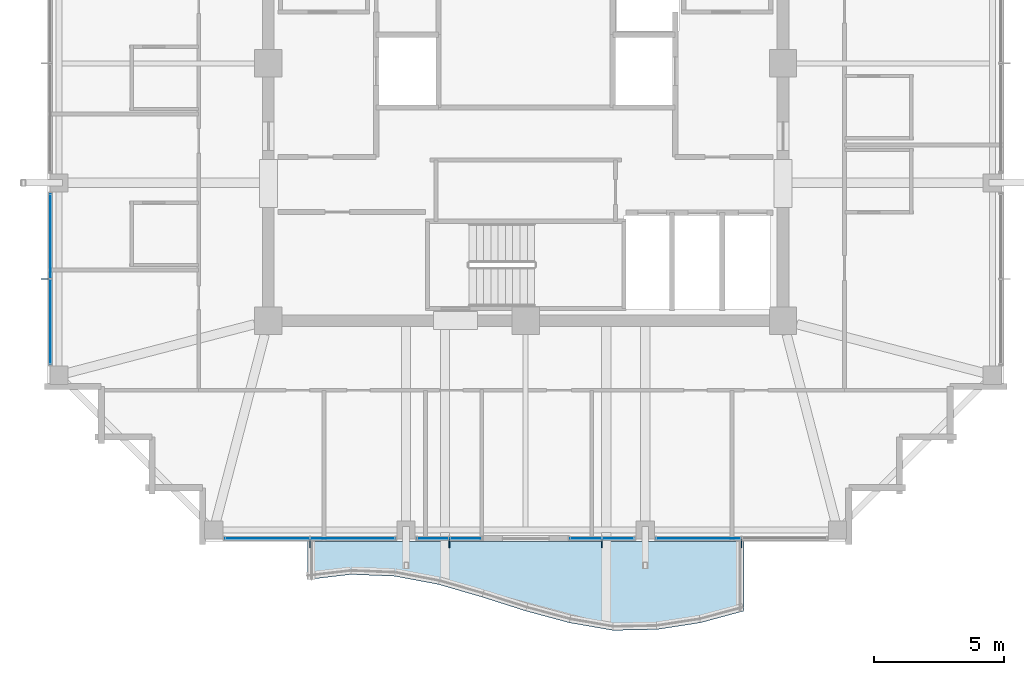
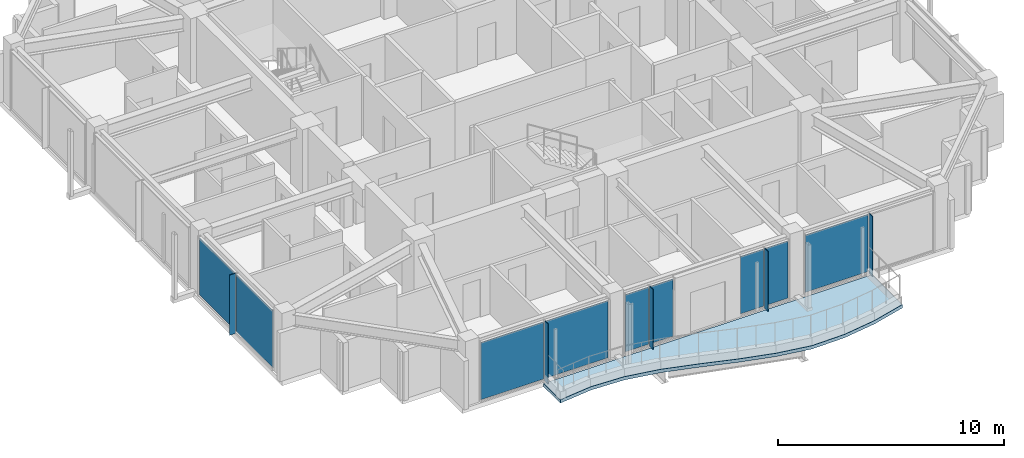
# One storey, part 20 of 31: 14 plates, 1 slab, 5 elements without a shape of their own.
"""IFC4 building model written with IfcOpenShell, lengths in metres."""

from ifc_helpers import new_model, si_unit, direction, frame, origin, origin_2d, place, context, subcontext, project, spatial, polyline, rectangle, outline, extrude, material, layer, layer_set, type_object, element, aggregate, save


model = new_model("IFC4")

# Units and contexts
model_context = context("Model", 3, precision=1e-05, world=origin(), true_north=direction((0.0, 1.0)))
body_context = subcontext(model_context, "Body", "Model", "MODEL_VIEW")
ifc_project = project(units=[si_unit("LENGTHUNIT", "METRE"), si_unit("AREAUNIT", "SQUARE_METRE"), si_unit("VOLUMEUNIT", "CUBIC_METRE"), si_unit("PLANEANGLEUNIT", "RADIAN"), si_unit("MASSUNIT", "GRAM", prefix="KILO")], contexts=[model_context])

# Site, building, storey
site_placement = place(None, origin())
site = spatial("IfcSite", under=ifc_project, at=site_placement, CompositionType="ELEMENT")
building_placement = place(site_placement, origin())
building = spatial("IfcBuilding", under=site, at=building_placement, Name="Kolvaren Belvedere", CompositionType="ELEMENT")
storey_placement = place(building_placement, frame((0.0, 0.0, 247.89990234375)))
storey = spatial("IfcBuildingStorey", under=building, at=storey_placement, Name="L72", CompositionType="ELEMENT", Elevation=247.89990234375)

# Curtain wall, plate
ifc_material_1 = material(Name="Anodised pale-metal aluminium AA 6063-T6", Category="aluminium")
curtain_wall_type = type_object("IfcCurtainWallType", Name="CW-Z5-HIGH", PredefinedType="NOTDEFINED", material=ifc_material_1)
curtain_wall_1_placement = place(storey_placement, origin())
curtain_wall_1 = element("IfcCurtainWall", 1, at=curtain_wall_1_placement, inside=storey, type_object=curtain_wall_type, Name="L72 Unitised Curtain Wall FCW-L72-S1-B1", PredefinedType="NOTDEFINED")
ifc_material_2 = material(Name="Low-iron triple insulated glass", Category="glass")
ifc_layer_1 = layer(ifc_material_2, 0.028076171875)
ifc_layer_set_1 = layer_set([ifc_layer_1], Name="Low-iron triple insulated glass")
plate_type_1 = type_object("IfcPlateType", Name="CW-PNL-VIS28", PredefinedType="CURTAIN_PANEL", material=ifc_layer_set_1)
plate_1_placement = place(storey_placement, frame((6.652587890625, -18.280029296875, 0.080078125), z_axis=(0.0, 0.0, 1.0), x_axis=(-1.0, 0.0, 0.0)))
plate_1 = element("IfcPlate", 2, at=plate_1_placement, type_object=plate_type_1, Name="FCW-L72-S1-B1 Vision Glazing Panel 2", PredefinedType="CURTAIN_PANEL", context=body_context, shape_type="SweptSolid", body=[
    extrude(rectangle(XDim=3.215087890625, YDim=0.028076171875, at=origin_2d()), origin(), (0.0, 0.0, 1.0), 3.090087890625),
])
aggregate(curtain_wall_1, [plate_1])

# Curtain wall, plates
curtain_wall_2_placement = place(storey_placement, origin())
curtain_wall_2 = element("IfcCurtainWall", 3, at=curtain_wall_2_placement, inside=storey, type_object=curtain_wall_type, Name="L72 Unitised Curtain Wall FCW-L72-S1-B2", PredefinedType="NOTDEFINED")
plate_2_placement = place(storey_placement, frame((3.56640625, -18.280029296875, 0.080078125), z_axis=(0.0, 0.0, 1.0), x_axis=(-1.0, 0.0, 0.0)))
plate_2 = element("IfcPlate", 4, at=plate_2_placement, type_object=plate_type_1, Name="FCW-L72-S1-B2 Vision Glazing Panel 1", PredefinedType="CURTAIN_PANEL", context=body_context, shape_type="SweptSolid", body=[
    extrude(rectangle(XDim=1.177490234375, YDim=0.028076171875, at=origin_2d()), origin(), (0.0, 0.0, 1.0), 3.090087890625),
])
plate_3_placement = place(storey_placement, frame((2.30859375, -18.280029296875, 0.080078125), z_axis=(0.0, 0.0, 1.0), x_axis=(-1.0, 0.0, 0.0)))
plate_3 = element("IfcPlate", 5, at=plate_3_placement, type_object=plate_type_1, Name="FCW-L72-S1-B2 Vision Glazing Panel 2", PredefinedType="CURTAIN_PANEL", context=body_context, shape_type="SweptSolid", body=[
    extrude(rectangle(XDim=1.177490234375, YDim=0.028076171875, at=origin_2d()), origin(), (0.0, 0.0, 1.0), 3.090087890625),
])
aggregate(curtain_wall_2, [plate_2, plate_3])

curtain_wall_3_placement = place(storey_placement, origin())
curtain_wall_3 = element("IfcCurtainWall", 6, at=curtain_wall_3_placement, inside=storey, type_object=curtain_wall_type, Name="L72 Unitised Curtain Wall FCW-L72-S2-B1", PredefinedType="NOTDEFINED")
plate_4_placement = place(storey_placement, frame((-2.30859375, -18.280029296875, 0.080078125), z_axis=(0.0, 0.0, 1.0), x_axis=(-1.0, 0.0, 0.0)))
plate_4 = element("IfcPlate", 7, at=plate_4_placement, type_object=plate_type_1, Name="FCW-L72-S2-B1 Vision Glazing Panel 1", PredefinedType="CURTAIN_PANEL", context=body_context, shape_type="SweptSolid", body=[
    extrude(rectangle(XDim=1.177490234375, YDim=0.028076171875, at=origin_2d()), origin(), (0.0, 0.0, 1.0), 3.090087890625),
])
plate_5_placement = place(storey_placement, frame((-3.56640625, -18.280029296875, 0.080078125), z_axis=(0.0, 0.0, 1.0), x_axis=(-1.0, 0.0, 0.0)))
plate_5 = element("IfcPlate", 8, at=plate_5_placement, type_object=plate_type_1, Name="FCW-L72-S2-B1 Vision Glazing Panel 2", PredefinedType="CURTAIN_PANEL", context=body_context, shape_type="SweptSolid", body=[
    extrude(rectangle(XDim=1.177490234375, YDim=0.028076171875, at=origin_2d()), origin(), (0.0, 0.0, 1.0), 3.090087890625),
])
aggregate(curtain_wall_3, [plate_4, plate_5])

curtain_wall_4_placement = place(storey_placement, origin())
curtain_wall_4 = element("IfcCurtainWall", 9, at=curtain_wall_4_placement, inside=storey, type_object=curtain_wall_type, Name="L72 Unitised Curtain Wall FCW-L72-S2-B2", PredefinedType="NOTDEFINED")
plate_6_placement = place(storey_placement, frame((-6.652587890625, -18.280029296875, 0.080078125), z_axis=(0.0, 0.0, 1.0), x_axis=(-1.0, 0.0, 0.0)))
plate_6 = element("IfcPlate", 10, at=plate_6_placement, type_object=plate_type_1, Name="FCW-L72-S2-B2 Vision Glazing Panel 1", PredefinedType="CURTAIN_PANEL", context=body_context, shape_type="SweptSolid", body=[
    extrude(rectangle(XDim=3.215087890625, YDim=0.028076171875, at=origin_2d()), origin(), (0.0, 0.0, 1.0), 3.090087890625),
])
plate_7_placement = place(storey_placement, frame((-9.947509765625, -18.280029296875, 0.080078125), z_axis=(0.0, 0.0, 1.0), x_axis=(-1.0, 0.0, 0.0)))
plate_7 = element("IfcPlate", 11, at=plate_7_placement, type_object=plate_type_1, Name="FCW-L72-S2-B2 Vision Glazing Panel 2", PredefinedType="CURTAIN_PANEL", context=body_context, shape_type="SweptSolid", body=[
    extrude(rectangle(XDim=3.215087890625, YDim=0.028076171875, at=origin_2d()), origin(), (0.0, 0.0, 1.0), 3.090087890625),
])
aggregate(curtain_wall_4, [plate_6, plate_7])

curtain_wall_5_placement = place(storey_placement, origin())
curtain_wall_5 = element("IfcCurtainWall", 12, at=curtain_wall_5_placement, inside=storey, type_object=curtain_wall_type, Name="L72 Unitised Curtain Wall FCW-L72-W-B1", PredefinedType="NOTDEFINED")
plate_8_placement = place(storey_placement, frame((-18.280029296875, -9.947509765625, 0.080078125), z_axis=(0.0, 0.0, 1.0), x_axis=(0.0, 1.0, 0.0)))
plate_8 = element("IfcPlate", 13, at=plate_8_placement, type_object=plate_type_1, Name="FCW-L72-W-B1 Vision Glazing Panel 1", PredefinedType="CURTAIN_PANEL", context=body_context, shape_type="SweptSolid", body=[
    extrude(rectangle(XDim=3.215087890625, YDim=0.028076171875, at=origin_2d()), origin(), (0.0, 0.0, 1.0), 3.090087890625),
])
plate_9_placement = place(storey_placement, frame((-18.280029296875, -6.652587890625, 0.080078125), z_axis=(0.0, 0.0, 1.0), x_axis=(0.0, 1.0, 0.0)))
plate_9 = element("IfcPlate", 14, at=plate_9_placement, type_object=plate_type_1, Name="FCW-L72-W-B1 Vision Glazing Panel 2", PredefinedType="CURTAIN_PANEL", context=body_context, shape_type="SweptSolid", body=[
    extrude(rectangle(XDim=3.215087890625, YDim=0.028076171875, at=origin_2d()), origin(), (0.0, 0.0, 1.0), 3.090087890625),
])
aggregate(curtain_wall_5, [plate_8, plate_9])

# Plates
ifc_material_3 = material(Name="Anodised pale-metal aluminium AA 6063-T6", Category="aluminium")
ifc_layer_2 = layer(ifc_material_3, 0.030029296875)
ifc_layer_set_2 = layer_set([ifc_layer_2], Name="Anodised pale-metal aluminium AA 6063-T6")
plate_type_2 = type_object("IfcPlateType", Name="FIN-VERT-300", PredefinedType="USERDEFINED", material=ifc_layer_set_2)
for number, where, z_axis, x_axis, name in (
    (15, (8.300048828125, -18.489990234375, 0.0), (0.0, 0.0, 1.0), (0.0, 1.0, 0.0), "L72 Pale-Metal Vertical Shading Fin FCW-L72-S1-B1-1"),
    (16, (2.9375, -18.489990234375, 0.0), (0.0, 0.0, 1.0), (0.0, 1.0, 0.0), "L72 Pale-Metal Vertical Shading Fin FCW-L72-S1-B2-1"),
    (17, (-2.9375, -18.489990234375, 0.0), (0.0, 0.0, 1.0), (0.0, 1.0, 0.0), "L72 Pale-Metal Vertical Shading Fin FCW-L72-S2-B1-1"),
    (18, (-8.300048828125, -18.489990234375, 0.0), (0.0, 0.0, 1.0), (0.0, 1.0, 0.0), "L72 Pale-Metal Vertical Shading Fin FCW-L72-S2-B2-1"),
    (19, (-18.489990234375, -8.300048828125, 0.0), (0.0, 0.0, 1.0), (1.0, 0.0, 0.0), "L72 Pale-Metal Vertical Shading Fin FCW-L72-W-B1-1"),
):
    element("IfcPlate", number, at=place(storey_placement, frame(where, z_axis=z_axis, x_axis=x_axis)), inside=storey, type_object=plate_type_2, Name=name, ObjectType="VERTICAL FIN", PredefinedType="USERDEFINED", context=body_context, shape_type="SweptSolid", body=[
        extrude(rectangle(XDim=0.300048828125, YDim=0.030029296875, at=origin_2d()), origin(), (0.0, 0.0, 1.0), 3.25),
    ])

# Slab
ifc_material_4 = material(Name="Concrete C50/60", Category="concrete")
ifc_layer_3 = layer(ifc_material_4, 0.179931640625)
ifc_layer_set_3 = layer_set([ifc_layer_3], Name="Concrete C50/60")
slab_type = type_object("IfcSlabType", Name="SL-BAL-180", PredefinedType="FLOOR", material=ifc_layer_set_3)
slab_placement = place(storey_placement, frame((0.0, 0.0, -0.25)))
element("IfcSlab", 20, at=slab_placement, inside=storey, type_object=slab_type, Name="L72 Planted Balcony BAL-S", PredefinedType="FLOOR", context=body_context, shape_type="SweptSolid", body=[
    extrude(outline(polyline([(-8.39990234375, -19.8662109375), (-6.719970703125, -19.66845703125), (-5.0400390625, -19.73583984375), (-3.360107421875, -20.051513671875), (-1.679931640625, -20.53759765625), (0.0, -21.07373046875), (1.679931640625, -21.52734375), (3.360107421875, -21.820068359375), (5.0400390625, -21.7861328125), (6.719970703125, -21.52734375), (8.39990234375, -21.07373046875), (8.39990234375, -18.39990234375), (6.719970703125, -18.39990234375), (5.0400390625, -18.39990234375), (3.360107421875, -18.39990234375), (1.679931640625, -18.39990234375), (0.0, -18.39990234375), (-1.679931640625, -18.39990234375), (-3.360107421875, -18.39990234375), (-5.0400390625, -18.39990234375), (-6.719970703125, -18.39990234375), (-8.39990234375, -18.39990234375), (-8.39990234375, -19.8662109375)])), origin(), (0.0, 0.0, 1.0), 0.18017578125),
])

save(model, "model.ifc")
